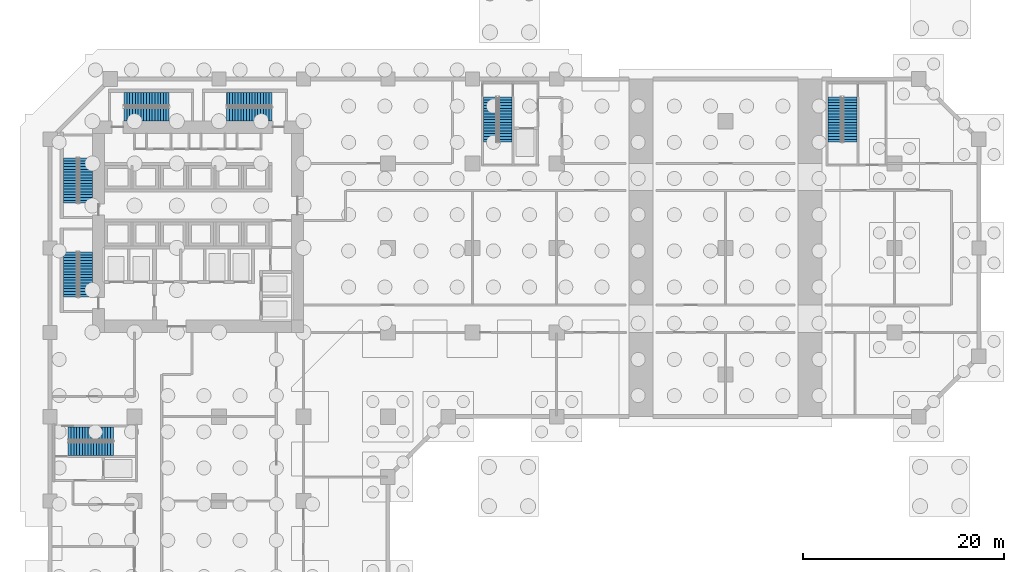
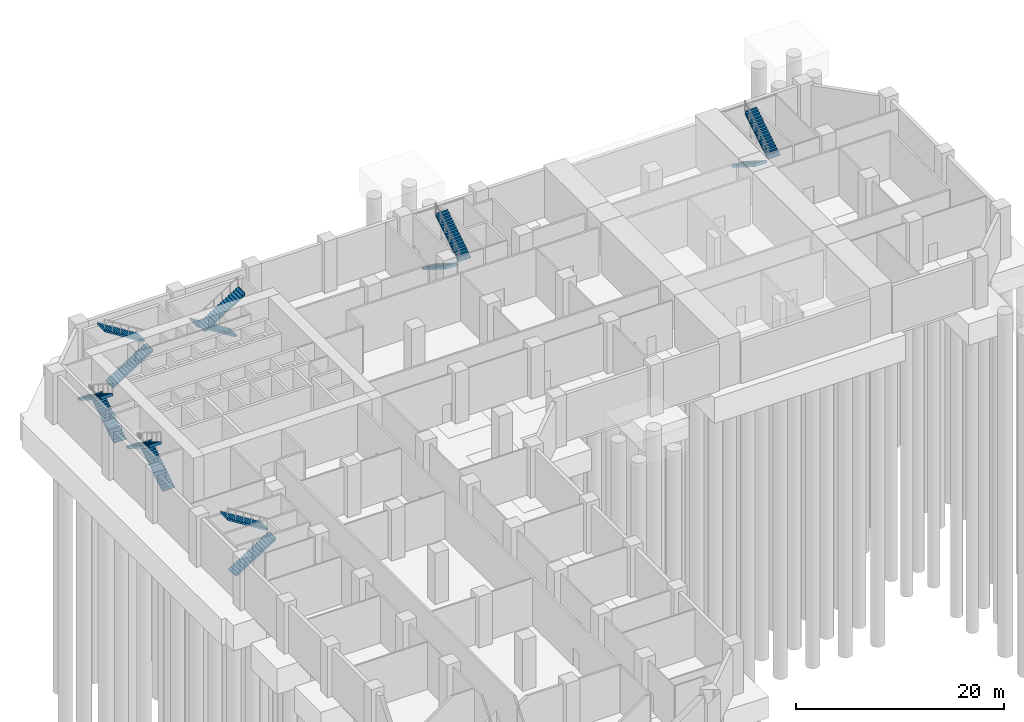
# One storey, part 10 of 13: 14 stair flights, 7 elements without a shape of their own.
"""IFC4 building model written with IfcOpenShell, lengths in metres."""

from ifc_helpers import new_model, si_unit, direction, frame, origin, place, context, subcontext, project, spatial, polyline, outline, extrude, material, type_object, element, aggregate, save


model = new_model("IFC4")

# Units and contexts
model_context = context("Model", 3, precision=1e-05, world=origin(), true_north=direction((0.0, 1.0)))
body_context = subcontext(model_context, "Body", "Model", "MODEL_VIEW")
ifc_project = project(units=[si_unit("LENGTHUNIT", "METRE"), si_unit("AREAUNIT", "SQUARE_METRE"), si_unit("VOLUMEUNIT", "CUBIC_METRE"), si_unit("PLANEANGLEUNIT", "RADIAN"), si_unit("MASSUNIT", "GRAM", prefix="KILO")], contexts=[model_context])

# Site, building, storey
site_placement = place(None, origin())
site = spatial("IfcSite", under=ifc_project, at=site_placement, CompositionType="ELEMENT")
building_placement = place(site_placement, origin())
building = spatial("IfcBuilding", under=site, at=building_placement, Name="Kawkab Arch Medical Tower", CompositionType="ELEMENT")
storey_placement = place(building_placement, frame((0.0, 0.0, -6.0)))
storey = spatial("IfcBuildingStorey", under=building, at=storey_placement, Name="B1", CompositionType="ELEMENT", Elevation=-6.0)

# Stair, stair flights
ifc_material_1 = material(Name="Concrete C40/50", Category="concrete")
stair_type = type_object("IfcStairType", Name="Exit stair 1350", PredefinedType="HALF_TURN_STAIR", material=ifc_material_1)
placement = place(storey_placement, origin())
stair_1 = element("IfcStair", 1, at=placement, inside=storey, type_object=stair_type, Name="B1 Exit stair ST1", PredefinedType="HALF_TURN_STAIR")
ifc_material_2 = material(Name="Concrete C40/50", Category="concrete")
stair_flight_type = type_object("IfcStairFlightType", Name="Exit stair flight 1350", PredefinedType="STRAIGHT", material=ifc_material_2)
stair_flight_1_placement = place(storey_placement, frame((3.52490234375, -12.35009765625, 0.0), z_axis=(0.0, 0.0, 1.0), x_axis=(0.0, 1.0, 0.0)))
stair_flight_1 = element("IfcStairFlight", 2, at=stair_flight_1_placement, type_object=stair_flight_type, Name="ST1 flight 1", NumberOfRisers=17, NumberOfTreads=16, PredefinedType="STRAIGHT", RiserHeight=0.176470588, TreadLength=0.28, context=body_context, shape_type="SweptSolid", body=[
    extrude(outline(polyline([(-0.0029296875, 0.0), (-0.0029296875, 0.176513671875), (0.0, 0.176513671875), (0.280029296875, 0.176513671875), (0.280029296875, 0.35302734375), (0.56005859375, 0.35302734375), (0.56005859375, 0.529296875), (0.840087890625, 0.529296875), (0.840087890625, 0.705810546875), (1.1201171875, 0.705810546875), (1.1201171875, 0.88232421875), (1.39990234375, 0.88232421875), (1.39990234375, 1.058837890625), (1.679931640625, 1.058837890625), (1.679931640625, 1.2353515625), (1.9599609375, 1.2353515625), (1.9599609375, 1.411865234375), (2.239990234375, 1.411865234375), (2.239990234375, 1.588134765625), (2.52001953125, 1.588134765625), (2.52001953125, 1.7646484375), (2.800048828125, 1.7646484375), (2.800048828125, 1.941162109375), (3.080078125, 1.941162109375), (3.080078125, 2.11767578125), (3.360107421875, 2.11767578125), (3.360107421875, 2.294189453125), (3.639892578125, 2.294189453125), (3.639892578125, 2.470703125), (3.919921875, 2.470703125), (3.919921875, 2.64697265625), (4.199951171875, 2.64697265625), (4.199951171875, 2.823486328125), (4.47998046875, 2.823486328125), (4.47998046875, 3.0), (4.48291015625, 3.0), (4.48291015625, 2.646240234375), (4.47998046875, 2.646240234375), (0.28125, 0.0), (-0.0029296875, 0.0)])), frame((0.0, 0.675048828125, 0.0), z_axis=(0.0, -1.0, 0.0), x_axis=(1.0, 0.0, 0.0)), (0.0, 0.0, 1.0), 1.35009765625),
])
stair_flight_2_placement = place(storey_placement, frame((2.02490234375, -7.8701171875, 3.0), z_axis=(0.0, 0.0, 1.0), x_axis=(0.0, -1.0, 0.0)))
stair_flight_2 = element("IfcStairFlight", 3, at=stair_flight_2_placement, type_object=stair_flight_type, Name="ST1 flight 2", NumberOfRisers=17, NumberOfTreads=16, PredefinedType="STRAIGHT", RiserHeight=0.176470588, TreadLength=0.28, context=body_context, shape_type="SweptSolid", body=[
    extrude(outline(polyline([(-0.0029296875, 0.0), (-0.0029296875, 0.176513671875), (0.0, 0.176513671875), (0.280029296875, 0.176513671875), (0.280029296875, 0.35302734375), (0.56005859375, 0.35302734375), (0.56005859375, 0.529296875), (0.840087890625, 0.529296875), (0.840087890625, 0.705810546875), (1.1201171875, 0.705810546875), (1.1201171875, 0.88232421875), (1.39990234375, 0.88232421875), (1.39990234375, 1.058837890625), (1.679931640625, 1.058837890625), (1.679931640625, 1.2353515625), (1.9599609375, 1.2353515625), (1.9599609375, 1.411865234375), (2.239990234375, 1.411865234375), (2.239990234375, 1.588134765625), (2.52001953125, 1.588134765625), (2.52001953125, 1.7646484375), (2.800048828125, 1.7646484375), (2.800048828125, 1.941162109375), (3.080078125, 1.941162109375), (3.080078125, 2.11767578125), (3.360107421875, 2.11767578125), (3.360107421875, 2.294189453125), (3.639892578125, 2.294189453125), (3.639892578125, 2.470703125), (3.919921875, 2.470703125), (3.919921875, 2.64697265625), (4.199951171875, 2.64697265625), (4.199951171875, 2.823486328125), (4.47998046875, 2.823486328125), (4.47998046875, 3.0), (4.48291015625, 3.0), (4.48291015625, 2.646240234375), (4.47998046875, 2.646240234375), (0.28125, 0.0), (-0.0029296875, 0.0)])), frame((0.0, 0.675048828125, 0.0), z_axis=(0.0, -1.0, 0.0), x_axis=(1.0, 0.0, 0.0)), (0.0, 0.0, 1.0), 1.35009765625),
])
aggregate(stair_1, [stair_flight_1, stair_flight_2])

stair_2 = element("IfcStair", 4, at=placement, inside=storey, type_object=stair_type, Name="B1 Exit stair ST2", PredefinedType="HALF_TURN_STAIR")
stair_flight_3_placement = place(storey_placement, frame((3.52490234375, -21.699951171875, 0.0), z_axis=(0.0, 0.0, 1.0), x_axis=(0.0, 1.0, 0.0)))
stair_flight_3 = element("IfcStairFlight", 5, at=stair_flight_3_placement, type_object=stair_flight_type, Name="ST2 flight 1", NumberOfRisers=17, NumberOfTreads=16, PredefinedType="STRAIGHT", RiserHeight=0.176470588, TreadLength=0.28, context=body_context, shape_type="SweptSolid", body=[
    extrude(outline(polyline([(-0.0029296875, 0.0), (-0.0029296875, 0.176513671875), (0.0, 0.176513671875), (0.280029296875, 0.176513671875), (0.280029296875, 0.35302734375), (0.56005859375, 0.35302734375), (0.56005859375, 0.529296875), (0.840087890625, 0.529296875), (0.840087890625, 0.705810546875), (1.1201171875, 0.705810546875), (1.1201171875, 0.88232421875), (1.39990234375, 0.88232421875), (1.39990234375, 1.058837890625), (1.679931640625, 1.058837890625), (1.679931640625, 1.2353515625), (1.9599609375, 1.2353515625), (1.9599609375, 1.411865234375), (2.239990234375, 1.411865234375), (2.239990234375, 1.588134765625), (2.52001953125, 1.588134765625), (2.52001953125, 1.7646484375), (2.800048828125, 1.7646484375), (2.800048828125, 1.941162109375), (3.080078125, 1.941162109375), (3.080078125, 2.11767578125), (3.360107421875, 2.11767578125), (3.360107421875, 2.294189453125), (3.639892578125, 2.294189453125), (3.639892578125, 2.470703125), (3.919921875, 2.470703125), (3.919921875, 2.64697265625), (4.199951171875, 2.64697265625), (4.199951171875, 2.823486328125), (4.47998046875, 2.823486328125), (4.47998046875, 3.0), (4.48291015625, 3.0), (4.48291015625, 2.646240234375), (4.47998046875, 2.646240234375), (0.28125, 0.0), (-0.0029296875, 0.0)])), frame((0.0, 0.675048828125, 0.0), z_axis=(0.0, -1.0, 0.0), x_axis=(1.0, 0.0, 0.0)), (0.0, 0.0, 1.0), 1.35009765625),
])
stair_flight_4_placement = place(storey_placement, frame((2.02490234375, -17.219970703125, 3.0), z_axis=(0.0, 0.0, 1.0), x_axis=(0.0, -1.0, 0.0)))
stair_flight_4 = element("IfcStairFlight", 6, at=stair_flight_4_placement, type_object=stair_flight_type, Name="ST2 flight 2", NumberOfRisers=17, NumberOfTreads=16, PredefinedType="STRAIGHT", RiserHeight=0.176470588, TreadLength=0.28, context=body_context, shape_type="SweptSolid", body=[
    extrude(outline(polyline([(-0.0029296875, 0.0), (-0.0029296875, 0.176513671875), (0.0, 0.176513671875), (0.280029296875, 0.176513671875), (0.280029296875, 0.35302734375), (0.56005859375, 0.35302734375), (0.56005859375, 0.529296875), (0.840087890625, 0.529296875), (0.840087890625, 0.705810546875), (1.1201171875, 0.705810546875), (1.1201171875, 0.88232421875), (1.39990234375, 0.88232421875), (1.39990234375, 1.058837890625), (1.679931640625, 1.058837890625), (1.679931640625, 1.2353515625), (1.9599609375, 1.2353515625), (1.9599609375, 1.411865234375), (2.239990234375, 1.411865234375), (2.239990234375, 1.588134765625), (2.52001953125, 1.588134765625), (2.52001953125, 1.7646484375), (2.800048828125, 1.7646484375), (2.800048828125, 1.941162109375), (3.080078125, 1.941162109375), (3.080078125, 2.11767578125), (3.360107421875, 2.11767578125), (3.360107421875, 2.294189453125), (3.639892578125, 2.294189453125), (3.639892578125, 2.470703125), (3.919921875, 2.470703125), (3.919921875, 2.64697265625), (4.199951171875, 2.64697265625), (4.199951171875, 2.823486328125), (4.47998046875, 2.823486328125), (4.47998046875, 3.0), (4.48291015625, 3.0), (4.48291015625, 2.646240234375), (4.47998046875, 2.646240234375), (0.28125, 0.0), (-0.0029296875, 0.0)])), frame((0.0, 0.675048828125, 0.0), z_axis=(0.0, -1.0, 0.0), x_axis=(1.0, 0.0, 0.0)), (0.0, 0.0, 1.0), 1.35009765625),
])
aggregate(stair_2, [stair_flight_3, stair_flight_4])

stair_3 = element("IfcStair", 7, at=placement, inside=storey, type_object=stair_type, Name="B1 Exit stair ST3", PredefinedType="HALF_TURN_STAIR")
stair_flight_5_placement = place(storey_placement, frame((7.35009765625, -3.52490234375, 0.0), z_axis=(0.0, 0.0, 1.0), x_axis=(1.0, 0.0, 0.0)))
stair_flight_5 = element("IfcStairFlight", 8, at=stair_flight_5_placement, type_object=stair_flight_type, Name="ST3 flight 1", NumberOfRisers=17, NumberOfTreads=16, PredefinedType="STRAIGHT", RiserHeight=0.176470588, TreadLength=0.28, context=body_context, shape_type="SweptSolid", body=[
    extrude(outline(polyline([(-0.0029296875, 0.0), (-0.0029296875, 0.176513671875), (0.0, 0.176513671875), (0.280029296875, 0.176513671875), (0.280029296875, 0.35302734375), (0.56005859375, 0.35302734375), (0.56005859375, 0.529296875), (0.840087890625, 0.529296875), (0.840087890625, 0.705810546875), (1.1201171875, 0.705810546875), (1.1201171875, 0.88232421875), (1.39990234375, 0.88232421875), (1.39990234375, 1.058837890625), (1.679931640625, 1.058837890625), (1.679931640625, 1.2353515625), (1.9599609375, 1.2353515625), (1.9599609375, 1.411865234375), (2.239990234375, 1.411865234375), (2.239990234375, 1.588134765625), (2.52001953125, 1.588134765625), (2.52001953125, 1.7646484375), (2.800048828125, 1.7646484375), (2.800048828125, 1.941162109375), (3.080078125, 1.941162109375), (3.080078125, 2.11767578125), (3.360107421875, 2.11767578125), (3.360107421875, 2.294189453125), (3.639892578125, 2.294189453125), (3.639892578125, 2.470703125), (3.919921875, 2.470703125), (3.919921875, 2.64697265625), (4.199951171875, 2.64697265625), (4.199951171875, 2.823486328125), (4.47998046875, 2.823486328125), (4.47998046875, 3.0), (4.48291015625, 3.0), (4.48291015625, 2.646240234375), (4.47998046875, 2.646240234375), (0.28125, 0.0), (-0.0029296875, 0.0)])), frame((0.0, 0.675048828125, 0.0), z_axis=(0.0, -1.0, 0.0), x_axis=(1.0, 0.0, 0.0)), (0.0, 0.0, 1.0), 1.35009765625),
])
stair_flight_6_placement = place(storey_placement, frame((11.830078125, -2.02490234375, 3.0), z_axis=(0.0, 0.0, 1.0), x_axis=(-1.0, 0.0, 0.0)))
stair_flight_6 = element("IfcStairFlight", 9, at=stair_flight_6_placement, type_object=stair_flight_type, Name="ST3 flight 2", NumberOfRisers=17, NumberOfTreads=16, PredefinedType="STRAIGHT", RiserHeight=0.176470588, TreadLength=0.28, context=body_context, shape_type="SweptSolid", body=[
    extrude(outline(polyline([(-0.0029296875, 0.0), (-0.0029296875, 0.176513671875), (0.0, 0.176513671875), (0.280029296875, 0.176513671875), (0.280029296875, 0.35302734375), (0.56005859375, 0.35302734375), (0.56005859375, 0.529296875), (0.840087890625, 0.529296875), (0.840087890625, 0.705810546875), (1.1201171875, 0.705810546875), (1.1201171875, 0.88232421875), (1.39990234375, 0.88232421875), (1.39990234375, 1.058837890625), (1.679931640625, 1.058837890625), (1.679931640625, 1.2353515625), (1.9599609375, 1.2353515625), (1.9599609375, 1.411865234375), (2.239990234375, 1.411865234375), (2.239990234375, 1.588134765625), (2.52001953125, 1.588134765625), (2.52001953125, 1.7646484375), (2.800048828125, 1.7646484375), (2.800048828125, 1.941162109375), (3.080078125, 1.941162109375), (3.080078125, 2.11767578125), (3.360107421875, 2.11767578125), (3.360107421875, 2.294189453125), (3.639892578125, 2.294189453125), (3.639892578125, 2.470703125), (3.919921875, 2.470703125), (3.919921875, 2.64697265625), (4.199951171875, 2.64697265625), (4.199951171875, 2.823486328125), (4.47998046875, 2.823486328125), (4.47998046875, 3.0), (4.48291015625, 3.0), (4.48291015625, 2.646240234375), (4.47998046875, 2.646240234375), (0.28125, 0.0), (-0.0029296875, 0.0)])), frame((0.0, 0.675048828125, 0.0), z_axis=(0.0, -1.0, 0.0), x_axis=(1.0, 0.0, 0.0)), (0.0, 0.0, 1.0), 1.35009765625),
])
aggregate(stair_3, [stair_flight_5, stair_flight_6])

stair_4 = element("IfcStair", 10, at=placement, inside=storey, type_object=stair_type, Name="B1 Exit stair ST4", PredefinedType="HALF_TURN_STAIR")
stair_flight_7_placement = place(storey_placement, frame((22.050048828125, -2.02490234375, 0.0), z_axis=(0.0, 0.0, 1.0), x_axis=(-1.0, 0.0, 0.0)))
stair_flight_7 = element("IfcStairFlight", 11, at=stair_flight_7_placement, type_object=stair_flight_type, Name="ST4 flight 1", NumberOfRisers=17, NumberOfTreads=16, PredefinedType="STRAIGHT", RiserHeight=0.176470588, TreadLength=0.28, context=body_context, shape_type="SweptSolid", body=[
    extrude(outline(polyline([(-0.0029296875, 0.0), (-0.0029296875, 0.176513671875), (0.0, 0.176513671875), (0.280029296875, 0.176513671875), (0.280029296875, 0.35302734375), (0.56005859375, 0.35302734375), (0.56005859375, 0.529296875), (0.840087890625, 0.529296875), (0.840087890625, 0.705810546875), (1.1201171875, 0.705810546875), (1.1201171875, 0.88232421875), (1.39990234375, 0.88232421875), (1.39990234375, 1.058837890625), (1.679931640625, 1.058837890625), (1.679931640625, 1.2353515625), (1.9599609375, 1.2353515625), (1.9599609375, 1.411865234375), (2.239990234375, 1.411865234375), (2.239990234375, 1.588134765625), (2.52001953125, 1.588134765625), (2.52001953125, 1.7646484375), (2.800048828125, 1.7646484375), (2.800048828125, 1.941162109375), (3.080078125, 1.941162109375), (3.080078125, 2.11767578125), (3.360107421875, 2.11767578125), (3.360107421875, 2.294189453125), (3.639892578125, 2.294189453125), (3.639892578125, 2.470703125), (3.919921875, 2.470703125), (3.919921875, 2.64697265625), (4.199951171875, 2.64697265625), (4.199951171875, 2.823486328125), (4.47998046875, 2.823486328125), (4.47998046875, 3.0), (4.48291015625, 3.0), (4.48291015625, 2.646240234375), (4.47998046875, 2.646240234375), (0.28125, 0.0), (-0.0029296875, 0.0)])), frame((0.0, 0.675048828125, 0.0), z_axis=(0.0, -1.0, 0.0), x_axis=(1.0, 0.0, 0.0)), (0.0, 0.0, 1.0), 1.35009765625),
])
stair_flight_8_placement = place(storey_placement, frame((17.570068359375, -3.52490234375, 3.0), z_axis=(0.0, 0.0, 1.0), x_axis=(1.0, 0.0, 0.0)))
stair_flight_8 = element("IfcStairFlight", 12, at=stair_flight_8_placement, type_object=stair_flight_type, Name="ST4 flight 2", NumberOfRisers=17, NumberOfTreads=16, PredefinedType="STRAIGHT", RiserHeight=0.176470588, TreadLength=0.28, context=body_context, shape_type="SweptSolid", body=[
    extrude(outline(polyline([(-0.0029296875, 0.0), (-0.0029296875, 0.176513671875), (0.0, 0.176513671875), (0.280029296875, 0.176513671875), (0.280029296875, 0.35302734375), (0.56005859375, 0.35302734375), (0.56005859375, 0.529296875), (0.840087890625, 0.529296875), (0.840087890625, 0.705810546875), (1.1201171875, 0.705810546875), (1.1201171875, 0.88232421875), (1.39990234375, 0.88232421875), (1.39990234375, 1.058837890625), (1.679931640625, 1.058837890625), (1.679931640625, 1.2353515625), (1.9599609375, 1.2353515625), (1.9599609375, 1.411865234375), (2.239990234375, 1.411865234375), (2.239990234375, 1.588134765625), (2.52001953125, 1.588134765625), (2.52001953125, 1.7646484375), (2.800048828125, 1.7646484375), (2.800048828125, 1.941162109375), (3.080078125, 1.941162109375), (3.080078125, 2.11767578125), (3.360107421875, 2.11767578125), (3.360107421875, 2.294189453125), (3.639892578125, 2.294189453125), (3.639892578125, 2.470703125), (3.919921875, 2.470703125), (3.919921875, 2.64697265625), (4.199951171875, 2.64697265625), (4.199951171875, 2.823486328125), (4.47998046875, 2.823486328125), (4.47998046875, 3.0), (4.48291015625, 3.0), (4.48291015625, 2.646240234375), (4.47998046875, 2.646240234375), (0.28125, 0.0), (-0.0029296875, 0.0)])), frame((0.0, 0.675048828125, 0.0), z_axis=(0.0, -1.0, 0.0), x_axis=(1.0, 0.0, 0.0)), (0.0, 0.0, 1.0), 1.35009765625),
])
aggregate(stair_4, [stair_flight_7, stair_flight_8])

stair_5 = element("IfcStair", 13, at=placement, inside=storey, type_object=stair_type, Name="B1 Exit stair ST5", PredefinedType="HALF_TURN_STAIR")
stair_flight_9_placement = place(storey_placement, frame((43.77490234375, -1.800048828125, 0.0), z_axis=(0.0, 0.0, 1.0), x_axis=(0.0, -1.0, 0.0)))
stair_flight_9 = element("IfcStairFlight", 14, at=stair_flight_9_placement, type_object=stair_flight_type, Name="ST5 flight 1", NumberOfRisers=17, NumberOfTreads=16, PredefinedType="STRAIGHT", RiserHeight=0.176470588, TreadLength=0.28, context=body_context, shape_type="SweptSolid", body=[
    extrude(outline(polyline([(-0.0029296875, 0.0), (-0.0029296875, 0.176513671875), (0.0, 0.176513671875), (0.280029296875, 0.176513671875), (0.280029296875, 0.35302734375), (0.56005859375, 0.35302734375), (0.56005859375, 0.529296875), (0.840087890625, 0.529296875), (0.840087890625, 0.705810546875), (1.1201171875, 0.705810546875), (1.1201171875, 0.88232421875), (1.39990234375, 0.88232421875), (1.39990234375, 1.058837890625), (1.679931640625, 1.058837890625), (1.679931640625, 1.2353515625), (1.9599609375, 1.2353515625), (1.9599609375, 1.411865234375), (2.239990234375, 1.411865234375), (2.239990234375, 1.588134765625), (2.52001953125, 1.588134765625), (2.52001953125, 1.7646484375), (2.800048828125, 1.7646484375), (2.800048828125, 1.941162109375), (3.080078125, 1.941162109375), (3.080078125, 2.11767578125), (3.360107421875, 2.11767578125), (3.360107421875, 2.294189453125), (3.639892578125, 2.294189453125), (3.639892578125, 2.470703125), (3.919921875, 2.470703125), (3.919921875, 2.64697265625), (4.199951171875, 2.64697265625), (4.199951171875, 2.823486328125), (4.47998046875, 2.823486328125), (4.47998046875, 3.0), (4.48291015625, 3.0), (4.48291015625, 2.646240234375), (4.47998046875, 2.646240234375), (0.28125, 0.0), (-0.0029296875, 0.0)])), frame((0.0, 0.675048828125, 0.0), z_axis=(0.0, -1.0, 0.0), x_axis=(1.0, 0.0, 0.0)), (0.0, 0.0, 1.0), 1.35009765625),
])
stair_flight_10_placement = place(storey_placement, frame((45.27490234375, -6.280029296875, 3.0), z_axis=(0.0, 0.0, 1.0), x_axis=(0.0, 1.0, 0.0)))
stair_flight_10 = element("IfcStairFlight", 15, at=stair_flight_10_placement, type_object=stair_flight_type, Name="ST5 flight 2", NumberOfRisers=17, NumberOfTreads=16, PredefinedType="STRAIGHT", RiserHeight=0.176470588, TreadLength=0.28, context=body_context, shape_type="SweptSolid", body=[
    extrude(outline(polyline([(-0.0029296875, 0.0), (-0.0029296875, 0.176513671875), (0.0, 0.176513671875), (0.280029296875, 0.176513671875), (0.280029296875, 0.35302734375), (0.56005859375, 0.35302734375), (0.56005859375, 0.529296875), (0.840087890625, 0.529296875), (0.840087890625, 0.705810546875), (1.1201171875, 0.705810546875), (1.1201171875, 0.88232421875), (1.39990234375, 0.88232421875), (1.39990234375, 1.058837890625), (1.679931640625, 1.058837890625), (1.679931640625, 1.2353515625), (1.9599609375, 1.2353515625), (1.9599609375, 1.411865234375), (2.239990234375, 1.411865234375), (2.239990234375, 1.588134765625), (2.52001953125, 1.588134765625), (2.52001953125, 1.7646484375), (2.800048828125, 1.7646484375), (2.800048828125, 1.941162109375), (3.080078125, 1.941162109375), (3.080078125, 2.11767578125), (3.360107421875, 2.11767578125), (3.360107421875, 2.294189453125), (3.639892578125, 2.294189453125), (3.639892578125, 2.470703125), (3.919921875, 2.470703125), (3.919921875, 2.64697265625), (4.199951171875, 2.64697265625), (4.199951171875, 2.823486328125), (4.47998046875, 2.823486328125), (4.47998046875, 3.0), (4.48291015625, 3.0), (4.48291015625, 2.646240234375), (4.47998046875, 2.646240234375), (0.28125, 0.0), (-0.0029296875, 0.0)])), frame((0.0, 0.675048828125, 0.0), z_axis=(0.0, -1.0, 0.0), x_axis=(1.0, 0.0, 0.0)), (0.0, 0.0, 1.0), 1.35009765625),
])
aggregate(stair_5, [stair_flight_9, stair_flight_10])

stair_6 = element("IfcStair", 16, at=placement, inside=storey, type_object=stair_type, Name="B1 Exit stair ST6", PredefinedType="HALF_TURN_STAIR")
stair_flight_11_placement = place(storey_placement, frame((1.800048828125, -36.77490234375, 0.0), z_axis=(0.0, 0.0, 1.0), x_axis=(1.0, 0.0, 0.0)))
stair_flight_11 = element("IfcStairFlight", 17, at=stair_flight_11_placement, type_object=stair_flight_type, Name="ST6 flight 1", NumberOfRisers=17, NumberOfTreads=16, PredefinedType="STRAIGHT", RiserHeight=0.176470588, TreadLength=0.28, context=body_context, shape_type="SweptSolid", body=[
    extrude(outline(polyline([(-0.0029296875, 0.0), (-0.0029296875, 0.176513671875), (0.0, 0.176513671875), (0.280029296875, 0.176513671875), (0.280029296875, 0.35302734375), (0.56005859375, 0.35302734375), (0.56005859375, 0.529296875), (0.840087890625, 0.529296875), (0.840087890625, 0.705810546875), (1.1201171875, 0.705810546875), (1.1201171875, 0.88232421875), (1.39990234375, 0.88232421875), (1.39990234375, 1.058837890625), (1.679931640625, 1.058837890625), (1.679931640625, 1.2353515625), (1.9599609375, 1.2353515625), (1.9599609375, 1.411865234375), (2.239990234375, 1.411865234375), (2.239990234375, 1.588134765625), (2.52001953125, 1.588134765625), (2.52001953125, 1.7646484375), (2.800048828125, 1.7646484375), (2.800048828125, 1.941162109375), (3.080078125, 1.941162109375), (3.080078125, 2.11767578125), (3.360107421875, 2.11767578125), (3.360107421875, 2.294189453125), (3.639892578125, 2.294189453125), (3.639892578125, 2.470703125), (3.919921875, 2.470703125), (3.919921875, 2.64697265625), (4.199951171875, 2.64697265625), (4.199951171875, 2.823486328125), (4.47998046875, 2.823486328125), (4.47998046875, 3.0), (4.48291015625, 3.0), (4.48291015625, 2.646240234375), (4.47998046875, 2.646240234375), (0.28125, 0.0), (-0.0029296875, 0.0)])), frame((0.0, 0.675048828125, 0.0), z_axis=(0.0, -1.0, 0.0), x_axis=(1.0, 0.0, 0.0)), (0.0, 0.0, 1.0), 1.35009765625),
])
stair_flight_12_placement = place(storey_placement, frame((6.280029296875, -35.27490234375, 3.0), z_axis=(0.0, 0.0, 1.0), x_axis=(-1.0, 0.0, 0.0)))
stair_flight_12 = element("IfcStairFlight", 18, at=stair_flight_12_placement, type_object=stair_flight_type, Name="ST6 flight 2", NumberOfRisers=17, NumberOfTreads=16, PredefinedType="STRAIGHT", RiserHeight=0.176470588, TreadLength=0.28, context=body_context, shape_type="SweptSolid", body=[
    extrude(outline(polyline([(-0.0029296875, 0.0), (-0.0029296875, 0.176513671875), (0.0, 0.176513671875), (0.280029296875, 0.176513671875), (0.280029296875, 0.35302734375), (0.56005859375, 0.35302734375), (0.56005859375, 0.529296875), (0.840087890625, 0.529296875), (0.840087890625, 0.705810546875), (1.1201171875, 0.705810546875), (1.1201171875, 0.88232421875), (1.39990234375, 0.88232421875), (1.39990234375, 1.058837890625), (1.679931640625, 1.058837890625), (1.679931640625, 1.2353515625), (1.9599609375, 1.2353515625), (1.9599609375, 1.411865234375), (2.239990234375, 1.411865234375), (2.239990234375, 1.588134765625), (2.52001953125, 1.588134765625), (2.52001953125, 1.7646484375), (2.800048828125, 1.7646484375), (2.800048828125, 1.941162109375), (3.080078125, 1.941162109375), (3.080078125, 2.11767578125), (3.360107421875, 2.11767578125), (3.360107421875, 2.294189453125), (3.639892578125, 2.294189453125), (3.639892578125, 2.470703125), (3.919921875, 2.470703125), (3.919921875, 2.64697265625), (4.199951171875, 2.64697265625), (4.199951171875, 2.823486328125), (4.47998046875, 2.823486328125), (4.47998046875, 3.0), (4.48291015625, 3.0), (4.48291015625, 2.646240234375), (4.47998046875, 2.646240234375), (0.28125, 0.0), (-0.0029296875, 0.0)])), frame((0.0, 0.675048828125, 0.0), z_axis=(0.0, -1.0, 0.0), x_axis=(1.0, 0.0, 0.0)), (0.0, 0.0, 1.0), 1.35009765625),
])
aggregate(stair_6, [stair_flight_11, stair_flight_12])

stair_7 = element("IfcStair", 19, at=placement, inside=storey, type_object=stair_type, Name="B1 Exit stair ST7", PredefinedType="HALF_TURN_STAIR")
stair_flight_13_placement = place(storey_placement, frame((78.074951171875, -1.800048828125, 0.0), z_axis=(0.0, 0.0, 1.0), x_axis=(0.0, -1.0, 0.0)))
stair_flight_13 = element("IfcStairFlight", 20, at=stair_flight_13_placement, type_object=stair_flight_type, Name="ST7 flight 1", NumberOfRisers=17, NumberOfTreads=16, PredefinedType="STRAIGHT", RiserHeight=0.176470588, TreadLength=0.28, context=body_context, shape_type="SweptSolid", body=[
    extrude(outline(polyline([(-0.0029296875, 0.0), (-0.0029296875, 0.176513671875), (0.0, 0.176513671875), (0.280029296875, 0.176513671875), (0.280029296875, 0.35302734375), (0.56005859375, 0.35302734375), (0.56005859375, 0.529296875), (0.840087890625, 0.529296875), (0.840087890625, 0.705810546875), (1.1201171875, 0.705810546875), (1.1201171875, 0.88232421875), (1.39990234375, 0.88232421875), (1.39990234375, 1.058837890625), (1.679931640625, 1.058837890625), (1.679931640625, 1.2353515625), (1.9599609375, 1.2353515625), (1.9599609375, 1.411865234375), (2.239990234375, 1.411865234375), (2.239990234375, 1.588134765625), (2.52001953125, 1.588134765625), (2.52001953125, 1.7646484375), (2.800048828125, 1.7646484375), (2.800048828125, 1.941162109375), (3.080078125, 1.941162109375), (3.080078125, 2.11767578125), (3.360107421875, 2.11767578125), (3.360107421875, 2.294189453125), (3.639892578125, 2.294189453125), (3.639892578125, 2.470703125), (3.919921875, 2.470703125), (3.919921875, 2.64697265625), (4.199951171875, 2.64697265625), (4.199951171875, 2.823486328125), (4.47998046875, 2.823486328125), (4.47998046875, 3.0), (4.48291015625, 3.0), (4.48291015625, 2.646240234375), (4.47998046875, 2.646240234375), (0.28125, 0.0), (-0.0029296875, 0.0)])), frame((0.0, 0.675048828125, 0.0), z_axis=(0.0, -1.0, 0.0), x_axis=(1.0, 0.0, 0.0)), (0.0, 0.0, 1.0), 1.35009765625),
])
stair_flight_14_placement = place(storey_placement, frame((79.574951171875, -6.280029296875, 3.0), z_axis=(0.0, 0.0, 1.0), x_axis=(0.0, 1.0, 0.0)))
stair_flight_14 = element("IfcStairFlight", 21, at=stair_flight_14_placement, type_object=stair_flight_type, Name="ST7 flight 2", NumberOfRisers=17, NumberOfTreads=16, PredefinedType="STRAIGHT", RiserHeight=0.176470588, TreadLength=0.28, context=body_context, shape_type="SweptSolid", body=[
    extrude(outline(polyline([(-0.0029296875, 0.0), (-0.0029296875, 0.176513671875), (0.0, 0.176513671875), (0.280029296875, 0.176513671875), (0.280029296875, 0.35302734375), (0.56005859375, 0.35302734375), (0.56005859375, 0.529296875), (0.840087890625, 0.529296875), (0.840087890625, 0.705810546875), (1.1201171875, 0.705810546875), (1.1201171875, 0.88232421875), (1.39990234375, 0.88232421875), (1.39990234375, 1.058837890625), (1.679931640625, 1.058837890625), (1.679931640625, 1.2353515625), (1.9599609375, 1.2353515625), (1.9599609375, 1.411865234375), (2.239990234375, 1.411865234375), (2.239990234375, 1.588134765625), (2.52001953125, 1.588134765625), (2.52001953125, 1.7646484375), (2.800048828125, 1.7646484375), (2.800048828125, 1.941162109375), (3.080078125, 1.941162109375), (3.080078125, 2.11767578125), (3.360107421875, 2.11767578125), (3.360107421875, 2.294189453125), (3.639892578125, 2.294189453125), (3.639892578125, 2.470703125), (3.919921875, 2.470703125), (3.919921875, 2.64697265625), (4.199951171875, 2.64697265625), (4.199951171875, 2.823486328125), (4.47998046875, 2.823486328125), (4.47998046875, 3.0), (4.48291015625, 3.0), (4.48291015625, 2.646240234375), (4.47998046875, 2.646240234375), (0.28125, 0.0), (-0.0029296875, 0.0)])), frame((0.0, 0.675048828125, 0.0), z_axis=(0.0, -1.0, 0.0), x_axis=(1.0, 0.0, 0.0)), (0.0, 0.0, 1.0), 1.35009765625),
])
aggregate(stair_7, [stair_flight_13, stair_flight_14])

save(model, "model.ifc")
